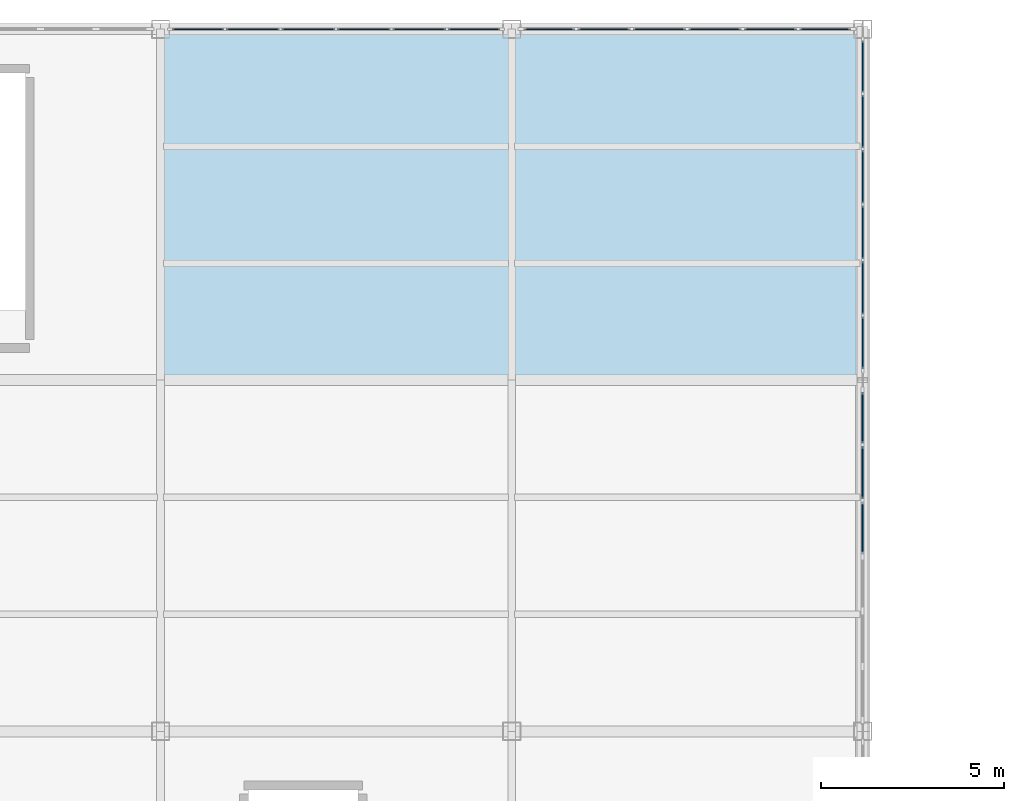
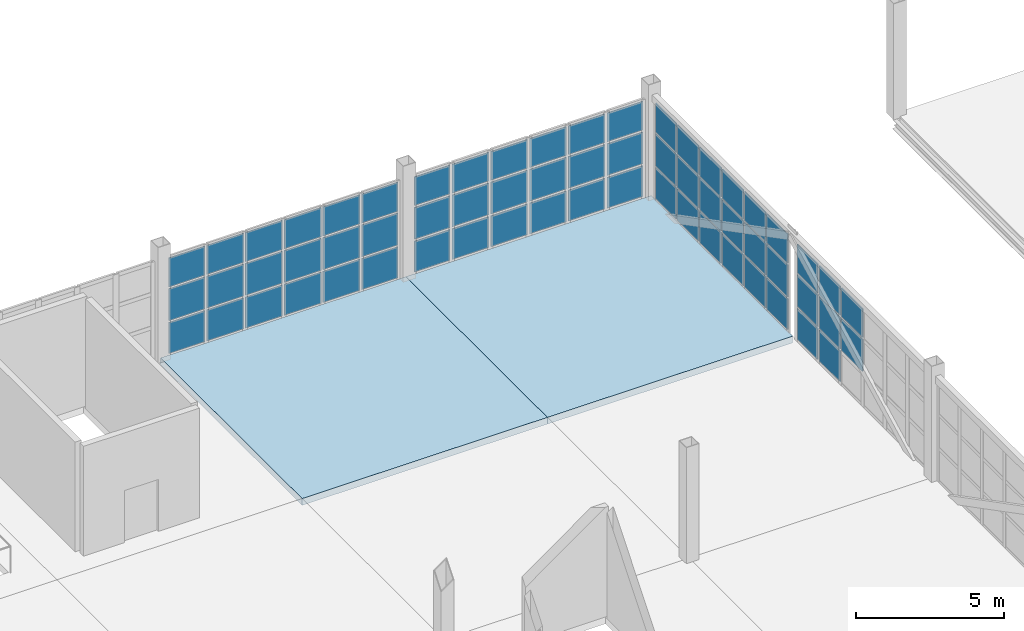
# One storey, part 88 of 120: 62 plates, 2 slabs, 4 elements without a shape of their own.
"""IFC4 building model written with IfcOpenShell, lengths in metres."""

from ifc_helpers import new_model, si_unit, direction, frame, origin, origin_2d, place, context, subcontext, project, spatial, polyline, rectangle, outline, extrude, material, layer, layer_set, type_object, element, aggregate, save


model = new_model("IFC4")

# Units and contexts
model_context = context("Model", 3, precision=1e-05, world=origin(), true_north=direction((0.0, 1.0)))
body_context = subcontext(model_context, "Body", "Model", "MODEL_VIEW")
ifc_project = project(units=[si_unit("LENGTHUNIT", "METRE"), si_unit("AREAUNIT", "SQUARE_METRE"), si_unit("VOLUMEUNIT", "CUBIC_METRE"), si_unit("PLANEANGLEUNIT", "RADIAN"), si_unit("MASSUNIT", "GRAM", prefix="KILO")], contexts=[model_context])

# Site, building, storey
site_placement = place(None, origin())
site = spatial("IfcSite", under=ifc_project, at=site_placement, CompositionType="ELEMENT")
building_placement = place(site_placement, origin())
building = spatial("IfcBuilding", under=site, at=building_placement, Name="Zarnetskaya Central Station", CompositionType="ELEMENT")
storey_placement = place(building_placement, frame((0.0, 0.0, 5.39990234375)))
storey = spatial("IfcBuildingStorey", under=building, at=storey_placement, Name="L01", CompositionType="ELEMENT", Elevation=5.39990234375)

# Curtain wall, plates
ifc_material_1 = material(Name="Low-E insulated glass", Category="glass")
ifc_layer_1 = layer(ifc_material_1, 0.172119140625, Name="Low-E insulated glass", Category="glass")
ifc_layer_set_1 = layer_set([ifc_layer_1], Name="Low-E insulated glass")
curtain_wall_type = type_object("IfcCurtainWallType", Name="CW-SYS-09", PredefinedType="USERDEFINED", material=ifc_layer_set_1)
curtain_wall_1_placement = place(storey_placement, origin())
curtain_wall_1 = element("IfcCurtainWall", 1, at=curtain_wall_1_placement, inside=storey, type_object=curtain_wall_type, Name="Curtain wall CW-L01-155", ObjectType="CURTAIN WALL", PredefinedType="USERDEFINED")
ifc_layer_2 = layer(ifc_material_1, 0.028076171875, Name="Low-E insulated glass", Category="glass")
ifc_layer_set_2 = layer_set([ifc_layer_2], Name="Low-E insulated glass")
plate_type_1 = type_object("IfcPlateType", Name="CW-PAN-28", PredefinedType="CURTAIN_PANEL", material=ifc_layer_set_2)
plate_1_placement = place(storey_placement, frame((97.02587890625, 124.800048828125, 0.070068359375), z_axis=(0.0, 0.0, 1.0), x_axis=(1.0, 0.0, 0.0)))
plate_1 = element("IfcPlate", 2, at=plate_1_placement, type_object=plate_type_1, Name="CW-07 panel 1.1", PredefinedType="CURTAIN_PANEL", context=body_context, shape_type="SweptSolid", body=[
    extrude(rectangle(XDim=1.41162109375, YDim=0.028076171875, at=origin_2d()), origin(), (0.0, 0.0, 1.0), 1.2890625),
])
plate_2_placement = place(storey_placement, frame((97.02587890625, 124.800048828125, 1.42919921875), z_axis=(0.0, 0.0, 1.0), x_axis=(1.0, 0.0, 0.0)))
plate_2 = element("IfcPlate", 3, at=plate_2_placement, type_object=plate_type_1, Name="CW-07 panel 1.2", PredefinedType="CURTAIN_PANEL", context=body_context, shape_type="SweptSolid", body=[
    extrude(rectangle(XDim=1.41162109375, YDim=0.028076171875, at=origin_2d()), origin(), (0.0, 0.0, 1.0), 1.323974609375),
])
plate_3_placement = place(storey_placement, frame((97.02587890625, 124.800048828125, 2.822998046875), z_axis=(0.0, 0.0, 1.0), x_axis=(1.0, 0.0, 0.0)))
plate_3 = element("IfcPlate", 4, at=plate_3_placement, type_object=plate_type_1, Name="CW-07 panel 1.3", PredefinedType="CURTAIN_PANEL", context=body_context, shape_type="SweptSolid", body=[
    extrude(rectangle(XDim=1.41162109375, YDim=0.028076171875, at=origin_2d()), origin(), (0.0, 0.0, 1.0), 1.20703125),
])
plate_4_placement = place(storey_placement, frame((98.52490234375, 124.800048828125, 0.070068359375), z_axis=(0.0, 0.0, 1.0), x_axis=(1.0, 0.0, 0.0)))
plate_4 = element("IfcPlate", 5, at=plate_4_placement, type_object=plate_type_1, Name="CW-07 panel 2.1", PredefinedType="CURTAIN_PANEL", context=body_context, shape_type="SweptSolid", body=[
    extrude(rectangle(XDim=1.44677734375, YDim=0.028076171875, at=origin_2d()), origin(), (0.0, 0.0, 1.0), 1.2890625),
])
plate_5_placement = place(storey_placement, frame((98.52490234375, 124.800048828125, 1.42919921875), z_axis=(0.0, 0.0, 1.0), x_axis=(1.0, 0.0, 0.0)))
plate_5 = element("IfcPlate", 6, at=plate_5_placement, type_object=plate_type_1, Name="CW-07 panel 2.2", PredefinedType="CURTAIN_PANEL", context=body_context, shape_type="SweptSolid", body=[
    extrude(rectangle(XDim=1.44677734375, YDim=0.028076171875, at=origin_2d()), origin(), (0.0, 0.0, 1.0), 1.323974609375),
])
plate_6_placement = place(storey_placement, frame((98.52490234375, 124.800048828125, 2.822998046875), z_axis=(0.0, 0.0, 1.0), x_axis=(1.0, 0.0, 0.0)))
plate_6 = element("IfcPlate", 7, at=plate_6_placement, type_object=plate_type_1, Name="CW-07 panel 2.3", PredefinedType="CURTAIN_PANEL", context=body_context, shape_type="SweptSolid", body=[
    extrude(rectangle(XDim=1.44677734375, YDim=0.028076171875, at=origin_2d()), origin(), (0.0, 0.0, 1.0), 1.20703125),
])
plate_7_placement = place(storey_placement, frame((100.041748046875, 124.800048828125, 0.070068359375), z_axis=(0.0, 0.0, 1.0), x_axis=(1.0, 0.0, 0.0)))
plate_7 = element("IfcPlate", 8, at=plate_7_placement, type_object=plate_type_1, Name="CW-07 panel 3.1", PredefinedType="CURTAIN_PANEL", context=body_context, shape_type="SweptSolid", body=[
    extrude(rectangle(XDim=1.44677734375, YDim=0.028076171875, at=origin_2d()), origin(), (0.0, 0.0, 1.0), 1.2890625),
])
plate_8_placement = place(storey_placement, frame((100.041748046875, 124.800048828125, 1.42919921875), z_axis=(0.0, 0.0, 1.0), x_axis=(1.0, 0.0, 0.0)))
plate_8 = element("IfcPlate", 9, at=plate_8_placement, type_object=plate_type_1, Name="CW-07 panel 3.2", PredefinedType="CURTAIN_PANEL", context=body_context, shape_type="SweptSolid", body=[
    extrude(rectangle(XDim=1.44677734375, YDim=0.028076171875, at=origin_2d()), origin(), (0.0, 0.0, 1.0), 1.323974609375),
])
plate_9_placement = place(storey_placement, frame((100.041748046875, 124.800048828125, 2.822998046875), z_axis=(0.0, 0.0, 1.0), x_axis=(1.0, 0.0, 0.0)))
plate_9 = element("IfcPlate", 10, at=plate_9_placement, type_object=plate_type_1, Name="CW-07 panel 3.3", PredefinedType="CURTAIN_PANEL", context=body_context, shape_type="SweptSolid", body=[
    extrude(rectangle(XDim=1.44677734375, YDim=0.028076171875, at=origin_2d()), origin(), (0.0, 0.0, 1.0), 1.20703125),
])
plate_10_placement = place(storey_placement, frame((101.558349609375, 124.800048828125, 0.070068359375), z_axis=(0.0, 0.0, 1.0), x_axis=(1.0, 0.0, 0.0)))
plate_10 = element("IfcPlate", 11, at=plate_10_placement, type_object=plate_type_1, Name="CW-07 panel 4.1", PredefinedType="CURTAIN_PANEL", context=body_context, shape_type="SweptSolid", body=[
    extrude(rectangle(XDim=1.44677734375, YDim=0.028076171875, at=origin_2d()), origin(), (0.0, 0.0, 1.0), 1.2890625),
])
plate_11_placement = place(storey_placement, frame((101.558349609375, 124.800048828125, 1.42919921875), z_axis=(0.0, 0.0, 1.0), x_axis=(1.0, 0.0, 0.0)))
plate_11 = element("IfcPlate", 12, at=plate_11_placement, type_object=plate_type_1, Name="CW-07 panel 4.2", PredefinedType="CURTAIN_PANEL", context=body_context, shape_type="SweptSolid", body=[
    extrude(rectangle(XDim=1.44677734375, YDim=0.028076171875, at=origin_2d()), origin(), (0.0, 0.0, 1.0), 1.323974609375),
])
plate_12_placement = place(storey_placement, frame((101.558349609375, 124.800048828125, 2.822998046875), z_axis=(0.0, 0.0, 1.0), x_axis=(1.0, 0.0, 0.0)))
plate_12 = element("IfcPlate", 13, at=plate_12_placement, type_object=plate_type_1, Name="CW-07 panel 4.3", PredefinedType="CURTAIN_PANEL", context=body_context, shape_type="SweptSolid", body=[
    extrude(rectangle(XDim=1.44677734375, YDim=0.028076171875, at=origin_2d()), origin(), (0.0, 0.0, 1.0), 1.20703125),
])
plate_13_placement = place(storey_placement, frame((103.074951171875, 124.800048828125, 0.070068359375), z_axis=(0.0, 0.0, 1.0), x_axis=(1.0, 0.0, 0.0)))
plate_13 = element("IfcPlate", 14, at=plate_13_placement, type_object=plate_type_1, Name="CW-07 panel 5.1", PredefinedType="CURTAIN_PANEL", context=body_context, shape_type="SweptSolid", body=[
    extrude(rectangle(XDim=1.44677734375, YDim=0.028076171875, at=origin_2d()), origin(), (0.0, 0.0, 1.0), 1.2890625),
])
plate_14_placement = place(storey_placement, frame((103.074951171875, 124.800048828125, 1.42919921875), z_axis=(0.0, 0.0, 1.0), x_axis=(1.0, 0.0, 0.0)))
plate_14 = element("IfcPlate", 15, at=plate_14_placement, type_object=plate_type_1, Name="CW-07 panel 5.2", PredefinedType="CURTAIN_PANEL", context=body_context, shape_type="SweptSolid", body=[
    extrude(rectangle(XDim=1.44677734375, YDim=0.028076171875, at=origin_2d()), origin(), (0.0, 0.0, 1.0), 1.323974609375),
])
plate_15_placement = place(storey_placement, frame((103.074951171875, 124.800048828125, 2.822998046875), z_axis=(0.0, 0.0, 1.0), x_axis=(1.0, 0.0, 0.0)))
plate_15 = element("IfcPlate", 16, at=plate_15_placement, type_object=plate_type_1, Name="CW-07 panel 5.3", PredefinedType="CURTAIN_PANEL", context=body_context, shape_type="SweptSolid", body=[
    extrude(rectangle(XDim=1.44677734375, YDim=0.028076171875, at=origin_2d()), origin(), (0.0, 0.0, 1.0), 1.20703125),
])
plate_16_placement = place(storey_placement, frame((104.57421875, 124.800048828125, 0.070068359375), z_axis=(0.0, 0.0, 1.0), x_axis=(1.0, 0.0, 0.0)))
plate_16 = element("IfcPlate", 17, at=plate_16_placement, type_object=plate_type_1, Name="CW-07 panel 6.1", PredefinedType="CURTAIN_PANEL", context=body_context, shape_type="SweptSolid", body=[
    extrude(rectangle(XDim=1.41162109375, YDim=0.028076171875, at=origin_2d()), origin(), (0.0, 0.0, 1.0), 1.2890625),
])
plate_17_placement = place(storey_placement, frame((104.57421875, 124.800048828125, 1.42919921875), z_axis=(0.0, 0.0, 1.0), x_axis=(1.0, 0.0, 0.0)))
plate_17 = element("IfcPlate", 18, at=plate_17_placement, type_object=plate_type_1, Name="CW-07 panel 6.2", PredefinedType="CURTAIN_PANEL", context=body_context, shape_type="SweptSolid", body=[
    extrude(rectangle(XDim=1.41162109375, YDim=0.028076171875, at=origin_2d()), origin(), (0.0, 0.0, 1.0), 1.323974609375),
])
plate_18_placement = place(storey_placement, frame((104.57421875, 124.800048828125, 2.822998046875), z_axis=(0.0, 0.0, 1.0), x_axis=(1.0, 0.0, 0.0)))
plate_18 = element("IfcPlate", 19, at=plate_18_placement, type_object=plate_type_1, Name="CW-07 panel 6.3", PredefinedType="CURTAIN_PANEL", context=body_context, shape_type="SweptSolid", body=[
    extrude(rectangle(XDim=1.41162109375, YDim=0.028076171875, at=origin_2d()), origin(), (0.0, 0.0, 1.0), 1.20703125),
])
aggregate(curtain_wall_1, [plate_1, plate_2, plate_3, plate_4, plate_5, plate_6, plate_7, plate_8, plate_9, plate_10, plate_11, plate_12, plate_13, plate_14, plate_15, plate_16, plate_17, plate_18])

curtain_wall_2_placement = place(storey_placement, origin())
curtain_wall_2 = element("IfcCurtainWall", 20, at=curtain_wall_2_placement, inside=storey, type_object=curtain_wall_type, Name="Curtain wall CW-L01-156", ObjectType="CURTAIN WALL", PredefinedType="USERDEFINED")
ifc_layer_3 = layer(ifc_material_1, 0.031982421875, Name="Low-E insulated glass", Category="glass")
ifc_layer_set_3 = layer_set([ifc_layer_3], Name="Low-E insulated glass")
plate_type_2 = type_object("IfcPlateType", Name="CW-PAN-32", PredefinedType="CURTAIN_PANEL", material=ifc_layer_set_3)
plate_19_placement = place(storey_placement, frame((106.62841796875, 124.800048828125, 0.080078125), z_axis=(0.0, 0.0, 1.0), x_axis=(1.0, 0.0, 0.0)))
plate_19 = element("IfcPlate", 21, at=plate_19_placement, type_object=plate_type_2, Name="CW-07 panel 1.1", PredefinedType="CURTAIN_PANEL", context=body_context, shape_type="SweptSolid", body=[
    extrude(rectangle(XDim=1.396728515625, YDim=0.031982421875, at=origin_2d()), origin(), (0.0, 0.0, 1.0), 1.27392578125),
])
plate_20_placement = place(storey_placement, frame((106.62841796875, 124.800048828125, 1.43408203125), z_axis=(0.0, 0.0, 1.0), x_axis=(1.0, 0.0, 0.0)))
plate_20 = element("IfcPlate", 22, at=plate_20_placement, type_object=plate_type_2, Name="CW-07 panel 1.2", PredefinedType="CURTAIN_PANEL", context=body_context, shape_type="SweptSolid", body=[
    extrude(rectangle(XDim=1.396728515625, YDim=0.031982421875, at=origin_2d()), origin(), (0.0, 0.0, 1.0), 1.31396484375),
])
plate_21_placement = place(storey_placement, frame((106.62841796875, 124.800048828125, 2.828125), z_axis=(0.0, 0.0, 1.0), x_axis=(1.0, 0.0, 0.0)))
plate_21 = element("IfcPlate", 23, at=plate_21_placement, type_object=plate_type_2, Name="CW-07 panel 1.3", PredefinedType="CURTAIN_PANEL", context=body_context, shape_type="SweptSolid", body=[
    extrude(rectangle(XDim=1.396728515625, YDim=0.031982421875, at=origin_2d()), origin(), (0.0, 0.0, 1.0), 1.19189453125),
])
plate_22_placement = place(storey_placement, frame((108.125, 124.800048828125, 0.080078125), z_axis=(0.0, 0.0, 1.0), x_axis=(1.0, 0.0, 0.0)))
plate_22 = element("IfcPlate", 24, at=plate_22_placement, type_object=plate_type_2, Name="CW-07 panel 2.1", PredefinedType="CURTAIN_PANEL", context=body_context, shape_type="SweptSolid", body=[
    extrude(rectangle(XDim=1.436767578125, YDim=0.031982421875, at=origin_2d()), origin(), (0.0, 0.0, 1.0), 1.27392578125),
])
plate_23_placement = place(storey_placement, frame((108.125, 124.800048828125, 1.43408203125), z_axis=(0.0, 0.0, 1.0), x_axis=(1.0, 0.0, 0.0)))
plate_23 = element("IfcPlate", 25, at=plate_23_placement, type_object=plate_type_2, Name="CW-07 panel 2.2", PredefinedType="CURTAIN_PANEL", context=body_context, shape_type="SweptSolid", body=[
    extrude(rectangle(XDim=1.436767578125, YDim=0.031982421875, at=origin_2d()), origin(), (0.0, 0.0, 1.0), 1.31396484375),
])
plate_24_placement = place(storey_placement, frame((108.125, 124.800048828125, 2.828125), z_axis=(0.0, 0.0, 1.0), x_axis=(1.0, 0.0, 0.0)))
plate_24 = element("IfcPlate", 26, at=plate_24_placement, type_object=plate_type_2, Name="CW-07 panel 2.3", PredefinedType="CURTAIN_PANEL", context=body_context, shape_type="SweptSolid", body=[
    extrude(rectangle(XDim=1.436767578125, YDim=0.031982421875, at=origin_2d()), origin(), (0.0, 0.0, 1.0), 1.19189453125),
])
plate_25_placement = place(storey_placement, frame((109.6416015625, 124.800048828125, 0.080078125), z_axis=(0.0, 0.0, 1.0), x_axis=(1.0, 0.0, 0.0)))
plate_25 = element("IfcPlate", 27, at=plate_25_placement, type_object=plate_type_2, Name="CW-07 panel 3.1", PredefinedType="CURTAIN_PANEL", context=body_context, shape_type="SweptSolid", body=[
    extrude(rectangle(XDim=1.436767578125, YDim=0.031982421875, at=origin_2d()), origin(), (0.0, 0.0, 1.0), 1.27392578125),
])
plate_26_placement = place(storey_placement, frame((109.6416015625, 124.800048828125, 1.43408203125), z_axis=(0.0, 0.0, 1.0), x_axis=(1.0, 0.0, 0.0)))
plate_26 = element("IfcPlate", 28, at=plate_26_placement, type_object=plate_type_2, Name="CW-07 panel 3.2", PredefinedType="CURTAIN_PANEL", context=body_context, shape_type="SweptSolid", body=[
    extrude(rectangle(XDim=1.436767578125, YDim=0.031982421875, at=origin_2d()), origin(), (0.0, 0.0, 1.0), 1.31396484375),
])
plate_27_placement = place(storey_placement, frame((109.6416015625, 124.800048828125, 2.828125), z_axis=(0.0, 0.0, 1.0), x_axis=(1.0, 0.0, 0.0)))
plate_27 = element("IfcPlate", 29, at=plate_27_placement, type_object=plate_type_2, Name="CW-07 panel 3.3", PredefinedType="CURTAIN_PANEL", context=body_context, shape_type="SweptSolid", body=[
    extrude(rectangle(XDim=1.436767578125, YDim=0.031982421875, at=origin_2d()), origin(), (0.0, 0.0, 1.0), 1.19189453125),
])
plate_28_placement = place(storey_placement, frame((111.158447265625, 124.800048828125, 0.080078125), z_axis=(0.0, 0.0, 1.0), x_axis=(1.0, 0.0, 0.0)))
plate_28 = element("IfcPlate", 30, at=plate_28_placement, type_object=plate_type_2, Name="CW-07 panel 4.1", PredefinedType="CURTAIN_PANEL", context=body_context, shape_type="SweptSolid", body=[
    extrude(rectangle(XDim=1.436767578125, YDim=0.031982421875, at=origin_2d()), origin(), (0.0, 0.0, 1.0), 1.27392578125),
])
plate_29_placement = place(storey_placement, frame((111.158447265625, 124.800048828125, 1.43408203125), z_axis=(0.0, 0.0, 1.0), x_axis=(1.0, 0.0, 0.0)))
plate_29 = element("IfcPlate", 31, at=plate_29_placement, type_object=plate_type_2, Name="CW-07 panel 4.2", PredefinedType="CURTAIN_PANEL", context=body_context, shape_type="SweptSolid", body=[
    extrude(rectangle(XDim=1.436767578125, YDim=0.031982421875, at=origin_2d()), origin(), (0.0, 0.0, 1.0), 1.31396484375),
])
plate_30_placement = place(storey_placement, frame((111.158447265625, 124.800048828125, 2.828125), z_axis=(0.0, 0.0, 1.0), x_axis=(1.0, 0.0, 0.0)))
plate_30 = element("IfcPlate", 32, at=plate_30_placement, type_object=plate_type_2, Name="CW-07 panel 4.3", PredefinedType="CURTAIN_PANEL", context=body_context, shape_type="SweptSolid", body=[
    extrude(rectangle(XDim=1.436767578125, YDim=0.031982421875, at=origin_2d()), origin(), (0.0, 0.0, 1.0), 1.19189453125),
])
plate_31_placement = place(storey_placement, frame((112.675048828125, 124.800048828125, 0.080078125), z_axis=(0.0, 0.0, 1.0), x_axis=(1.0, 0.0, 0.0)))
plate_31 = element("IfcPlate", 33, at=plate_31_placement, type_object=plate_type_2, Name="CW-07 panel 5.1", PredefinedType="CURTAIN_PANEL", context=body_context, shape_type="SweptSolid", body=[
    extrude(rectangle(XDim=1.436767578125, YDim=0.031982421875, at=origin_2d()), origin(), (0.0, 0.0, 1.0), 1.27392578125),
])
plate_32_placement = place(storey_placement, frame((112.675048828125, 124.800048828125, 1.43408203125), z_axis=(0.0, 0.0, 1.0), x_axis=(1.0, 0.0, 0.0)))
plate_32 = element("IfcPlate", 34, at=plate_32_placement, type_object=plate_type_2, Name="CW-07 panel 5.2", PredefinedType="CURTAIN_PANEL", context=body_context, shape_type="SweptSolid", body=[
    extrude(rectangle(XDim=1.436767578125, YDim=0.031982421875, at=origin_2d()), origin(), (0.0, 0.0, 1.0), 1.31396484375),
])
plate_33_placement = place(storey_placement, frame((112.675048828125, 124.800048828125, 2.828125), z_axis=(0.0, 0.0, 1.0), x_axis=(1.0, 0.0, 0.0)))
plate_33 = element("IfcPlate", 35, at=plate_33_placement, type_object=plate_type_2, Name="CW-07 panel 5.3", PredefinedType="CURTAIN_PANEL", context=body_context, shape_type="SweptSolid", body=[
    extrude(rectangle(XDim=1.436767578125, YDim=0.031982421875, at=origin_2d()), origin(), (0.0, 0.0, 1.0), 1.19189453125),
])
plate_34_placement = place(storey_placement, frame((114.171630859375, 124.800048828125, 0.080078125), z_axis=(0.0, 0.0, 1.0), x_axis=(1.0, 0.0, 0.0)))
plate_34 = element("IfcPlate", 36, at=plate_34_placement, type_object=plate_type_2, Name="CW-07 panel 6.1", PredefinedType="CURTAIN_PANEL", context=body_context, shape_type="SweptSolid", body=[
    extrude(rectangle(XDim=1.396728515625, YDim=0.031982421875, at=origin_2d()), origin(), (0.0, 0.0, 1.0), 1.27392578125),
])
plate_35_placement = place(storey_placement, frame((114.171630859375, 124.800048828125, 1.43408203125), z_axis=(0.0, 0.0, 1.0), x_axis=(1.0, 0.0, 0.0)))
plate_35 = element("IfcPlate", 37, at=plate_35_placement, type_object=plate_type_2, Name="CW-07 panel 6.2", PredefinedType="CURTAIN_PANEL", context=body_context, shape_type="SweptSolid", body=[
    extrude(rectangle(XDim=1.396728515625, YDim=0.031982421875, at=origin_2d()), origin(), (0.0, 0.0, 1.0), 1.31396484375),
])
plate_36_placement = place(storey_placement, frame((114.171630859375, 124.800048828125, 2.828125), z_axis=(0.0, 0.0, 1.0), x_axis=(1.0, 0.0, 0.0)))
plate_36 = element("IfcPlate", 38, at=plate_36_placement, type_object=plate_type_2, Name="CW-07 panel 6.3", PredefinedType="CURTAIN_PANEL", context=body_context, shape_type="SweptSolid", body=[
    extrude(rectangle(XDim=1.396728515625, YDim=0.031982421875, at=origin_2d()), origin(), (0.0, 0.0, 1.0), 1.19189453125),
])
aggregate(curtain_wall_2, [plate_19, plate_20, plate_21, plate_22, plate_23, plate_24, plate_25, plate_26, plate_27, plate_28, plate_29, plate_30, plate_31, plate_32, plate_33, plate_34, plate_35, plate_36])

curtain_wall_3_placement = place(storey_placement, origin())
curtain_wall_3 = element("IfcCurtainWall", 39, at=curtain_wall_3_placement, inside=storey, type_object=curtain_wall_type, Name="Curtain wall CW-L01-157", ObjectType="CURTAIN WALL", PredefinedType="USERDEFINED")
ifc_layer_4 = layer(ifc_material_1, 0.035888671875, Name="Low-E insulated glass", Category="glass")
ifc_layer_set_4 = layer_set([ifc_layer_4], Name="Low-E insulated glass")
plate_type_3 = type_object("IfcPlateType", Name="CW-PAN-36", PredefinedType="CURTAIN_PANEL", material=ifc_layer_set_4)
plate_37_placement = place(storey_placement, frame((115.199951171875, 123.774169921875, 0.070068359375), z_axis=(0.0, 0.0, 1.0), x_axis=(0.0, -1.0, 0.0)))
plate_37 = element("IfcPlate", 40, at=plate_37_placement, type_object=plate_type_3, Name="CW-07 panel 1.1", PredefinedType="CURTAIN_PANEL", context=body_context, shape_type="SweptSolid", body=[
    extrude(rectangle(XDim=1.41162109375, YDim=0.035888671875, at=origin_2d()), origin(), (0.0, 0.0, 1.0), 1.2890625),
])
plate_38_placement = place(storey_placement, frame((115.199951171875, 123.774169921875, 1.42919921875), z_axis=(0.0, 0.0, 1.0), x_axis=(0.0, -1.0, 0.0)))
plate_38 = element("IfcPlate", 41, at=plate_38_placement, type_object=plate_type_3, Name="CW-07 panel 1.2", PredefinedType="CURTAIN_PANEL", context=body_context, shape_type="SweptSolid", body=[
    extrude(rectangle(XDim=1.41162109375, YDim=0.035888671875, at=origin_2d()), origin(), (0.0, 0.0, 1.0), 1.323974609375),
])
plate_39_placement = place(storey_placement, frame((115.199951171875, 123.774169921875, 2.822998046875), z_axis=(0.0, 0.0, 1.0), x_axis=(0.0, -1.0, 0.0)))
plate_39 = element("IfcPlate", 42, at=plate_39_placement, type_object=plate_type_3, Name="CW-07 panel 1.3", PredefinedType="CURTAIN_PANEL", context=body_context, shape_type="SweptSolid", body=[
    extrude(rectangle(XDim=1.41162109375, YDim=0.035888671875, at=origin_2d()), origin(), (0.0, 0.0, 1.0), 1.20703125),
])
plate_40_placement = place(storey_placement, frame((115.199951171875, 122.27490234375, 0.070068359375), z_axis=(0.0, 0.0, 1.0), x_axis=(0.0, -1.0, 0.0)))
plate_40 = element("IfcPlate", 43, at=plate_40_placement, type_object=plate_type_3, Name="CW-07 panel 2.1", PredefinedType="CURTAIN_PANEL", context=body_context, shape_type="SweptSolid", body=[
    extrude(rectangle(XDim=1.44677734375, YDim=0.035888671875, at=origin_2d()), origin(), (0.0, 0.0, 1.0), 1.2890625),
])
plate_41_placement = place(storey_placement, frame((115.199951171875, 122.27490234375, 1.42919921875), z_axis=(0.0, 0.0, 1.0), x_axis=(0.0, -1.0, 0.0)))
plate_41 = element("IfcPlate", 44, at=plate_41_placement, type_object=plate_type_3, Name="CW-07 panel 2.2", PredefinedType="CURTAIN_PANEL", context=body_context, shape_type="SweptSolid", body=[
    extrude(rectangle(XDim=1.44677734375, YDim=0.035888671875, at=origin_2d()), origin(), (0.0, 0.0, 1.0), 1.323974609375),
])
plate_42_placement = place(storey_placement, frame((115.199951171875, 122.27490234375, 2.822998046875), z_axis=(0.0, 0.0, 1.0), x_axis=(0.0, -1.0, 0.0)))
plate_42 = element("IfcPlate", 45, at=plate_42_placement, type_object=plate_type_3, Name="CW-07 panel 2.3", PredefinedType="CURTAIN_PANEL", context=body_context, shape_type="SweptSolid", body=[
    extrude(rectangle(XDim=1.44677734375, YDim=0.035888671875, at=origin_2d()), origin(), (0.0, 0.0, 1.0), 1.20703125),
])
plate_43_placement = place(storey_placement, frame((115.199951171875, 120.75830078125, 0.070068359375), z_axis=(0.0, 0.0, 1.0), x_axis=(0.0, -1.0, 0.0)))
plate_43 = element("IfcPlate", 46, at=plate_43_placement, type_object=plate_type_3, Name="CW-07 panel 3.1", PredefinedType="CURTAIN_PANEL", context=body_context, shape_type="SweptSolid", body=[
    extrude(rectangle(XDim=1.44677734375, YDim=0.035888671875, at=origin_2d()), origin(), (0.0, 0.0, 1.0), 1.2890625),
])
plate_44_placement = place(storey_placement, frame((115.199951171875, 120.75830078125, 1.42919921875), z_axis=(0.0, 0.0, 1.0), x_axis=(0.0, -1.0, 0.0)))
plate_44 = element("IfcPlate", 47, at=plate_44_placement, type_object=plate_type_3, Name="CW-07 panel 3.2", PredefinedType="CURTAIN_PANEL", context=body_context, shape_type="SweptSolid", body=[
    extrude(rectangle(XDim=1.44677734375, YDim=0.035888671875, at=origin_2d()), origin(), (0.0, 0.0, 1.0), 1.323974609375),
])
plate_45_placement = place(storey_placement, frame((115.199951171875, 120.75830078125, 2.822998046875), z_axis=(0.0, 0.0, 1.0), x_axis=(0.0, -1.0, 0.0)))
plate_45 = element("IfcPlate", 48, at=plate_45_placement, type_object=plate_type_3, Name="CW-07 panel 3.3", PredefinedType="CURTAIN_PANEL", context=body_context, shape_type="SweptSolid", body=[
    extrude(rectangle(XDim=1.44677734375, YDim=0.035888671875, at=origin_2d()), origin(), (0.0, 0.0, 1.0), 1.20703125),
])
plate_46_placement = place(storey_placement, frame((115.199951171875, 119.24169921875, 0.070068359375), z_axis=(0.0, 0.0, 1.0), x_axis=(0.0, -1.0, 0.0)))
plate_46 = element("IfcPlate", 49, at=plate_46_placement, type_object=plate_type_3, Name="CW-07 panel 4.1", PredefinedType="CURTAIN_PANEL", context=body_context, shape_type="SweptSolid", body=[
    extrude(rectangle(XDim=1.44677734375, YDim=0.035888671875, at=origin_2d()), origin(), (0.0, 0.0, 1.0), 1.2890625),
])
plate_47_placement = place(storey_placement, frame((115.199951171875, 119.24169921875, 1.42919921875), z_axis=(0.0, 0.0, 1.0), x_axis=(0.0, -1.0, 0.0)))
plate_47 = element("IfcPlate", 50, at=plate_47_placement, type_object=plate_type_3, Name="CW-07 panel 4.2", PredefinedType="CURTAIN_PANEL", context=body_context, shape_type="SweptSolid", body=[
    extrude(rectangle(XDim=1.44677734375, YDim=0.035888671875, at=origin_2d()), origin(), (0.0, 0.0, 1.0), 1.323974609375),
])
plate_48_placement = place(storey_placement, frame((115.199951171875, 119.24169921875, 2.822998046875), z_axis=(0.0, 0.0, 1.0), x_axis=(0.0, -1.0, 0.0)))
plate_48 = element("IfcPlate", 51, at=plate_48_placement, type_object=plate_type_3, Name="CW-07 panel 4.3", PredefinedType="CURTAIN_PANEL", context=body_context, shape_type="SweptSolid", body=[
    extrude(rectangle(XDim=1.44677734375, YDim=0.035888671875, at=origin_2d()), origin(), (0.0, 0.0, 1.0), 1.20703125),
])
plate_49_placement = place(storey_placement, frame((115.199951171875, 117.72509765625, 0.070068359375), z_axis=(0.0, 0.0, 1.0), x_axis=(0.0, -1.0, 0.0)))
plate_49 = element("IfcPlate", 52, at=plate_49_placement, type_object=plate_type_3, Name="CW-07 panel 5.1", PredefinedType="CURTAIN_PANEL", context=body_context, shape_type="SweptSolid", body=[
    extrude(rectangle(XDim=1.44677734375, YDim=0.035888671875, at=origin_2d()), origin(), (0.0, 0.0, 1.0), 1.2890625),
])
plate_50_placement = place(storey_placement, frame((115.199951171875, 117.72509765625, 1.42919921875), z_axis=(0.0, 0.0, 1.0), x_axis=(0.0, -1.0, 0.0)))
plate_50 = element("IfcPlate", 53, at=plate_50_placement, type_object=plate_type_3, Name="CW-07 panel 5.2", PredefinedType="CURTAIN_PANEL", context=body_context, shape_type="SweptSolid", body=[
    extrude(rectangle(XDim=1.44677734375, YDim=0.035888671875, at=origin_2d()), origin(), (0.0, 0.0, 1.0), 1.323974609375),
])
plate_51_placement = place(storey_placement, frame((115.199951171875, 117.72509765625, 2.822998046875), z_axis=(0.0, 0.0, 1.0), x_axis=(0.0, -1.0, 0.0)))
plate_51 = element("IfcPlate", 54, at=plate_51_placement, type_object=plate_type_3, Name="CW-07 panel 5.3", PredefinedType="CURTAIN_PANEL", context=body_context, shape_type="SweptSolid", body=[
    extrude(rectangle(XDim=1.44677734375, YDim=0.035888671875, at=origin_2d()), origin(), (0.0, 0.0, 1.0), 1.20703125),
])
plate_52_placement = place(storey_placement, frame((115.199951171875, 116.225830078125, 0.070068359375), z_axis=(0.0, 0.0, 1.0), x_axis=(0.0, -1.0, 0.0)))
plate_52 = element("IfcPlate", 55, at=plate_52_placement, type_object=plate_type_3, Name="CW-07 panel 6.1", PredefinedType="CURTAIN_PANEL", context=body_context, shape_type="SweptSolid", body=[
    extrude(rectangle(XDim=1.41162109375, YDim=0.035888671875, at=origin_2d()), origin(), (0.0, 0.0, 1.0), 1.2890625),
])
plate_53_placement = place(storey_placement, frame((115.199951171875, 116.225830078125, 1.42919921875), z_axis=(0.0, 0.0, 1.0), x_axis=(0.0, -1.0, 0.0)))
plate_53 = element("IfcPlate", 56, at=plate_53_placement, type_object=plate_type_3, Name="CW-07 panel 6.2", PredefinedType="CURTAIN_PANEL", context=body_context, shape_type="SweptSolid", body=[
    extrude(rectangle(XDim=1.41162109375, YDim=0.035888671875, at=origin_2d()), origin(), (0.0, 0.0, 1.0), 1.323974609375),
])
plate_54_placement = place(storey_placement, frame((115.199951171875, 116.225830078125, 2.822998046875), z_axis=(0.0, 0.0, 1.0), x_axis=(0.0, -1.0, 0.0)))
plate_54 = element("IfcPlate", 57, at=plate_54_placement, type_object=plate_type_3, Name="CW-07 panel 6.3", PredefinedType="CURTAIN_PANEL", context=body_context, shape_type="SweptSolid", body=[
    extrude(rectangle(XDim=1.41162109375, YDim=0.035888671875, at=origin_2d()), origin(), (0.0, 0.0, 1.0), 1.20703125),
])
aggregate(curtain_wall_3, [plate_37, plate_38, plate_39, plate_40, plate_41, plate_42, plate_43, plate_44, plate_45, plate_46, plate_47, plate_48, plate_49, plate_50, plate_51, plate_52, plate_53, plate_54])

curtain_wall_4_placement = place(storey_placement, origin())
curtain_wall_4 = element("IfcCurtainWall", 58, at=curtain_wall_4_placement, inside=storey, type_object=curtain_wall_type, Name="Curtain wall CW-L01-158", ObjectType="CURTAIN WALL", PredefinedType="USERDEFINED")
ifc_layer_5 = layer(ifc_material_1, 0.0400390625, Name="Low-E insulated glass", Category="glass")
ifc_layer_set_5 = layer_set([ifc_layer_5], Name="Low-E insulated glass")
plate_type_4 = type_object("IfcPlateType", Name="CW-PAN-40", PredefinedType="CURTAIN_PANEL", material=ifc_layer_set_5)
plate_55_placement = place(storey_placement, frame((115.199951171875, 114.171630859375, 0.080078125), z_axis=(0.0, 0.0, 1.0), x_axis=(0.0, -1.0, 0.0)))
plate_55 = element("IfcPlate", 59, at=plate_55_placement, type_object=plate_type_4, Name="CW-07 panel 1.1", PredefinedType="CURTAIN_PANEL", context=body_context, shape_type="SweptSolid", body=[
    extrude(rectangle(XDim=1.396728515625, YDim=0.0400390625, at=origin_2d()), origin(), (0.0, 0.0, 1.0), 1.27392578125),
])
plate_56_placement = place(storey_placement, frame((115.199951171875, 114.171630859375, 1.43408203125), z_axis=(0.0, 0.0, 1.0), x_axis=(0.0, -1.0, 0.0)))
plate_56 = element("IfcPlate", 60, at=plate_56_placement, type_object=plate_type_4, Name="CW-07 panel 1.2", PredefinedType="CURTAIN_PANEL", context=body_context, shape_type="SweptSolid", body=[
    extrude(rectangle(XDim=1.396728515625, YDim=0.0400390625, at=origin_2d()), origin(), (0.0, 0.0, 1.0), 1.31396484375),
])
plate_57_placement = place(storey_placement, frame((115.199951171875, 114.171630859375, 2.828125), z_axis=(0.0, 0.0, 1.0), x_axis=(0.0, -1.0, 0.0)))
plate_57 = element("IfcPlate", 61, at=plate_57_placement, type_object=plate_type_4, Name="CW-07 panel 1.3", PredefinedType="CURTAIN_PANEL", context=body_context, shape_type="SweptSolid", body=[
    extrude(rectangle(XDim=1.396728515625, YDim=0.0400390625, at=origin_2d()), origin(), (0.0, 0.0, 1.0), 1.19189453125),
])
plate_58_placement = place(storey_placement, frame((115.199951171875, 112.675048828125, 0.080078125), z_axis=(0.0, 0.0, 1.0), x_axis=(0.0, -1.0, 0.0)))
plate_58 = element("IfcPlate", 62, at=plate_58_placement, type_object=plate_type_4, Name="CW-07 panel 2.1", PredefinedType="CURTAIN_PANEL", context=body_context, shape_type="SweptSolid", body=[
    extrude(rectangle(XDim=1.436767578125, YDim=0.0400390625, at=origin_2d()), origin(), (0.0, 0.0, 1.0), 1.27392578125),
])
plate_59_placement = place(storey_placement, frame((115.199951171875, 112.675048828125, 1.43408203125), z_axis=(0.0, 0.0, 1.0), x_axis=(0.0, -1.0, 0.0)))
plate_59 = element("IfcPlate", 63, at=plate_59_placement, type_object=plate_type_4, Name="CW-07 panel 2.2", PredefinedType="CURTAIN_PANEL", context=body_context, shape_type="SweptSolid", body=[
    extrude(rectangle(XDim=1.436767578125, YDim=0.0400390625, at=origin_2d()), origin(), (0.0, 0.0, 1.0), 1.31396484375),
])
plate_60_placement = place(storey_placement, frame((115.199951171875, 112.675048828125, 2.828125), z_axis=(0.0, 0.0, 1.0), x_axis=(0.0, -1.0, 0.0)))
plate_60 = element("IfcPlate", 64, at=plate_60_placement, type_object=plate_type_4, Name="CW-07 panel 2.3", PredefinedType="CURTAIN_PANEL", context=body_context, shape_type="SweptSolid", body=[
    extrude(rectangle(XDim=1.436767578125, YDim=0.0400390625, at=origin_2d()), origin(), (0.0, 0.0, 1.0), 1.19189453125),
])
plate_61_placement = place(storey_placement, frame((115.199951171875, 111.158447265625, 1.43408203125), z_axis=(0.0, 0.0, 1.0), x_axis=(0.0, -1.0, 0.0)))
plate_61 = element("IfcPlate", 65, at=plate_61_placement, type_object=plate_type_4, Name="CW-07 panel 3.2", PredefinedType="CURTAIN_PANEL", context=body_context, shape_type="SweptSolid", body=[
    extrude(rectangle(XDim=1.436767578125, YDim=0.0400390625, at=origin_2d()), origin(), (0.0, 0.0, 1.0), 1.31396484375),
])
plate_62_placement = place(storey_placement, frame((115.199951171875, 111.158447265625, 2.828125), z_axis=(0.0, 0.0, 1.0), x_axis=(0.0, -1.0, 0.0)))
plate_62 = element("IfcPlate", 66, at=plate_62_placement, type_object=plate_type_4, Name="CW-07 panel 3.3", PredefinedType="CURTAIN_PANEL", context=body_context, shape_type="SweptSolid", body=[
    extrude(rectangle(XDim=1.436767578125, YDim=0.0400390625, at=origin_2d()), origin(), (0.0, 0.0, 1.0), 1.19189453125),
])
aggregate(curtain_wall_4, [plate_55, plate_56, plate_57, plate_58, plate_59, plate_60, plate_61, plate_62])

# Slabs
ifc_material_2 = material(Name="Concrete C30/37", Category="concrete")
ifc_layer_6 = layer(ifc_material_2, 0.280029296875, Name="Concrete C30/37", Category="concrete")
ifc_layer_set_6 = layer_set([ifc_layer_6], Name="Concrete C30/37")
slab_type = type_object("IfcSlabType", Name="SLAB-BRG-280", PredefinedType="FLOOR", material=ifc_layer_set_6)
slab_1_placement = place(storey_placement, frame((0.0, 0.0, -0.27978515625)))
element("IfcSlab", 67, at=slab_1_placement, inside=storey, type_object=slab_type, Name="L01 slab L-M/14-15", PredefinedType="FLOOR", context=body_context, shape_type="SweptSolid", body=[
    extrude(outline(polyline([(96.0, 115.199951171875), (105.60009765625, 115.199951171875), (105.60009765625, 124.800048828125), (96.0, 124.800048828125), (96.0, 115.199951171875)])), origin(), (0.0, 0.0, 1.0), 0.27978515625),
])
slab_2_placement = place(storey_placement, frame((0.0, 0.0, -0.27978515625)))
element("IfcSlab", 68, at=slab_2_placement, inside=storey, type_object=slab_type, Name="L01 slab M-N/14-15", PredefinedType="FLOOR", context=body_context, shape_type="SweptSolid", body=[
    extrude(outline(polyline([(105.60009765625, 115.199951171875), (115.199951171875, 115.199951171875), (115.199951171875, 124.800048828125), (105.60009765625, 124.800048828125), (105.60009765625, 115.199951171875)])), origin(), (0.0, 0.0, 1.0), 0.27978515625),
])

save(model, "model.ifc")
